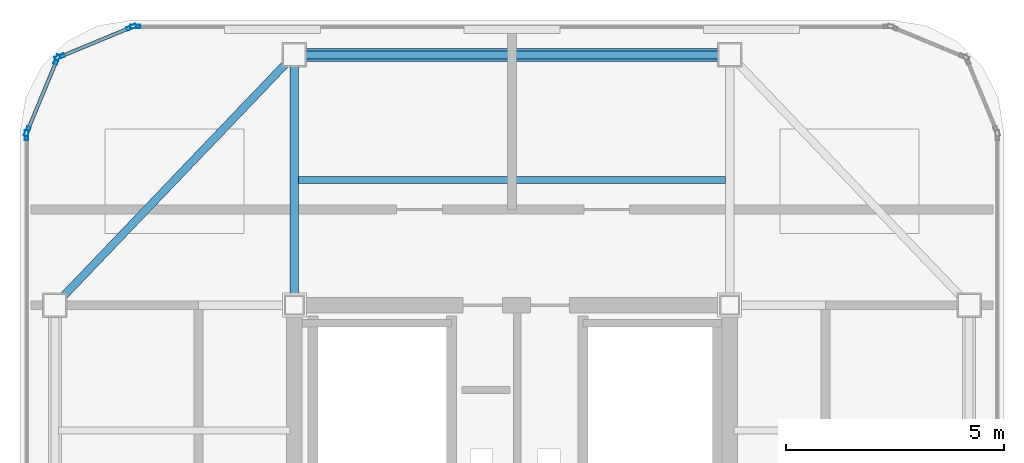
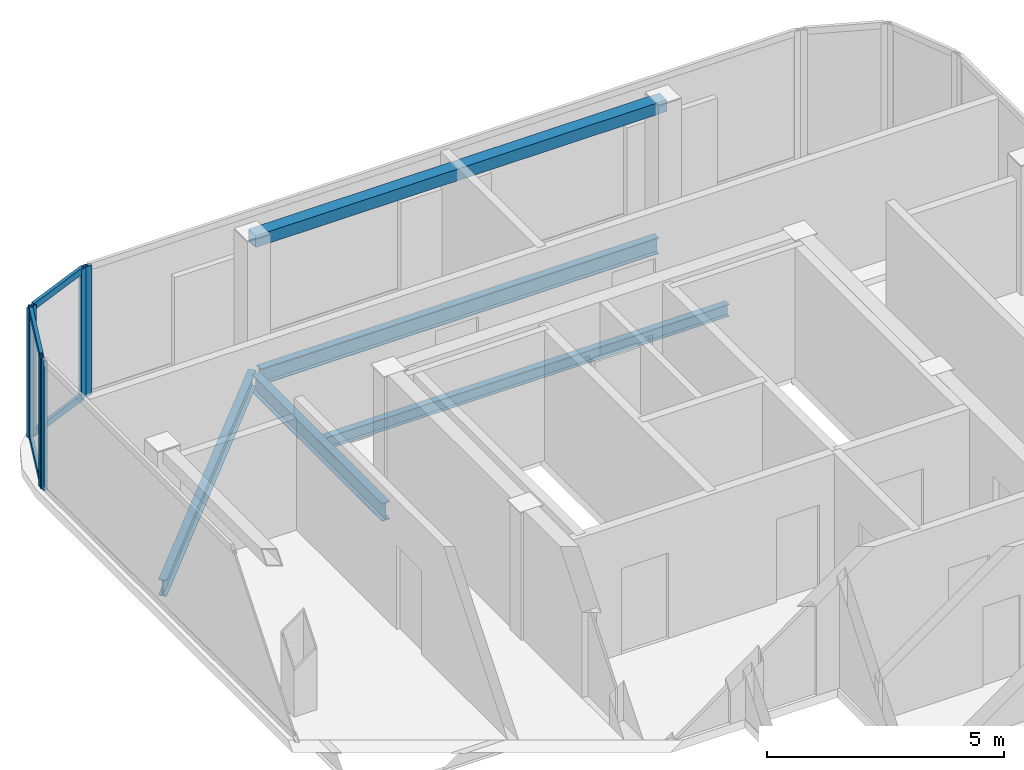
# One storey, part 6 of 11: 11 members, 4 beams, 4 elements without a shape of their own.
"""IFC4 building model written with IfcOpenShell, lengths in metres."""

from ifc_helpers import new_model, si_unit, direction, frame, origin, origin_2d, place, context, subcontext, project, spatial, hollow_rectangle, i_section, extrude, source, transform, mapped, material, layer, layer_set, material_profile, profile_set, type_object, element, aggregate, save


model = new_model("IFC4")

# Units and contexts
model_context = context("Model", 3, precision=1e-05, world=origin(), true_north=direction((0.0, 1.0)))
body_context = subcontext(model_context, "Body", "Model", "MODEL_VIEW")
ifc_project = project(units=[si_unit("LENGTHUNIT", "METRE"), si_unit("AREAUNIT", "SQUARE_METRE"), si_unit("VOLUMEUNIT", "CUBIC_METRE"), si_unit("PLANEANGLEUNIT", "RADIAN"), si_unit("MASSUNIT", "GRAM", prefix="KILO")], contexts=[model_context])

# Site, building, storey
site_placement = place(None, origin())
site = spatial("IfcSite", under=ifc_project, at=site_placement, CompositionType="ELEMENT")
building_placement = place(site_placement, origin())
building = spatial("IfcBuilding", under=site, at=building_placement, Name="Kolveth Station Tower", CompositionType="ELEMENT")
storey_placement = place(building_placement, frame((0.0, 0.0, 292.89990234375)))
storey = spatial("IfcBuildingStorey", under=building, at=storey_placement, Name="L84", CompositionType="ELEMENT", Elevation=292.89990234375)

# Beams
ifc_material_1 = material(Name="Steel S355", Category="steel")
ifc_material_profile_1 = material_profile(ifc_material_1, i_section(OverallWidth=0.180908203125, OverallDepth=0.4169921875, WebThickness=0.010986328125, FlangeThickness=0.018310546875, at=origin_2d()), Name="W410x85")
ifc_profile_set_1 = profile_set([ifc_material_profile_1], Name="Steel S355")
beam_type_1 = type_object("IfcBeamType", Name="Beam_B8", PredefinedType="BEAM", material=ifc_profile_set_1)
shared_shape_1 = source(origin(), body_context, "Body", "SweptSolid", [
    extrude(i_section(OverallWidth=0.180908203125, OverallDepth=0.4169921875, WebThickness=0.010986328125, FlangeThickness=0.018310546875, at=origin_2d()), origin(), (0.0, 0.0, 1.0), 9.68017578125),
])
beam_1_placement = place(storey_placement, frame((18.659912109375, 34.5, -0.428466796875), z_axis=(1.0, 0.0, 0.0), x_axis=(0.0, 1.0, 0.0)))
element("IfcBeam", 1, at=beam_1_placement, inside=storey, type_object=beam_type_1, Name="L84 Perimeter Spandrel BM-L84-PN-1", PredefinedType="BEAM", context=body_context, shape_type="MappedRepresentation", body=[
    mapped(shared_shape_1, transform((0.0, 0.0, 0.0), x_axis=(1.0, 0.0, 0.0), y_axis=(0.0, 1.0, 0.0), z_axis=(0.0, 0.0, 1.0), scale=1.0)),
])
ifc_material_profile_2 = material_profile(ifc_material_1, i_section(OverallWidth=0.19091796875, OverallDepth=0.4599609375, WebThickness=0.010009765625, FlangeThickness=0.01611328125, at=origin_2d()), Name="W460x82")
ifc_profile_set_2 = profile_set([ifc_material_profile_2], Name="Steel S355")
beam_type_2 = type_object("IfcBeamType", Name="Beam_B7", PredefinedType="BEAM", material=ifc_profile_set_2)
shared_shape_2 = source(origin(), body_context, "Body", "SweptSolid", [
    extrude(i_section(OverallWidth=0.19091796875, OverallDepth=0.4599609375, WebThickness=0.010009765625, FlangeThickness=0.01611328125, at=origin_2d()), origin(), (0.0, 0.0, 1.0), 5.47998046875),
])
beam_2_placement = place(storey_placement, frame((18.5, 28.860107421875, -0.449951171875), z_axis=(0.0, 1.0, 0.0), x_axis=(-1.0, 0.0, 0.0)))
element("IfcBeam", 2, at=beam_2_placement, inside=storey, type_object=beam_type_2, Name="L84 Primary Girder BM-L84-GX185-5", PredefinedType="BEAM", context=body_context, shape_type="MappedRepresentation", body=[
    mapped(shared_shape_2, transform((0.0, 0.0, 0.0), x_axis=(1.0, 0.0, 0.0), y_axis=(0.0, 1.0, 0.0), z_axis=(0.0, 0.0, 1.0), scale=1.0)),
])
ifc_material_profile_3 = material_profile(ifc_material_1, i_section(OverallWidth=0.1650390625, OverallDepth=0.31005859375, WebThickness=0.005859375, FlangeThickness=0.009765625, at=origin_2d()), Name="W310x39")
ifc_profile_set_3 = profile_set([ifc_material_profile_3], Name="Steel S355")
beam_type_3 = type_object("IfcBeamType", Name="Beam_J3", PredefinedType="JOIST", material=ifc_profile_set_3)
shared_shape_3 = source(origin(), body_context, "Body", "SweptSolid", [
    extrude(i_section(OverallWidth=0.1650390625, OverallDepth=0.31005859375, WebThickness=0.005859375, FlangeThickness=0.009765625, at=origin_2d()), origin(), (0.0, 0.0, 1.0), 9.81298828125),
])
beam_3_placement = place(storey_placement, frame((18.593505859375, 31.625, -0.375), z_axis=(1.0, 0.0, 0.0), x_axis=(0.0, 1.0, 0.0)))
element("IfcBeam", 3, at=beam_3_placement, inside=storey, type_object=beam_type_3, Name="L84 Secondary Joist JST-L84-2-5", PredefinedType="JOIST", context=body_context, shape_type="MappedRepresentation", body=[
    mapped(shared_shape_3, transform((0.0, 0.0, 0.0), x_axis=(1.0, 0.0, 0.0), y_axis=(0.0, 1.0, 0.0), z_axis=(0.0, 0.0, 1.0), scale=1.0)),
])
shared_shape_4 = source(origin(), body_context, "Body", "SweptSolid", [
    extrude(i_section(OverallWidth=0.180908203125, OverallDepth=0.4169921875, WebThickness=0.010986328125, FlangeThickness=0.018310546875, at=origin_2d()), origin(), (0.0, 0.0, 1.0), 7.95703125),
])
beam_4_placement = place(storey_placement, frame((18.5, 34.5, -0.428466796875), z_axis=(-0.691222645967, -0.722641857148, 0.0), x_axis=(0.722641857148, -0.691222645967, 0.0)))
element("IfcBeam", 4, at=beam_4_placement, inside=storey, type_object=beam_type_1, Name="L84 Corner Edge Girder BM-L84-CNR-NW", PredefinedType="BEAM", context=body_context, shape_type="MappedRepresentation", body=[
    mapped(shared_shape_4, transform((0.0, 0.0, 0.0), x_axis=(1.0, 0.0, 0.0), y_axis=(0.0, 1.0, 0.0), z_axis=(0.0, 0.0, 1.0), scale=1.0)),
])

# Member
ifc_material_profile_4 = material_profile(ifc_material_1, hollow_rectangle(XDim=0.300048828125, YDim=0.300048828125, WallThickness=0.01611328125, at=origin_2d()), Name="CROWN-HSS300x300x16")
ifc_profile_set_4 = profile_set([ifc_material_profile_4], Name="Steel S355")
member_type_1 = type_object("IfcMemberType", Name="Mem_CF1", PredefinedType="CHORD", material=ifc_profile_set_4)
shared_shape_5 = source(origin(), body_context, "Body", "SweptSolid", [
    extrude(hollow_rectangle(XDim=0.300048828125, YDim=0.300048828125, WallThickness=0.01611328125, at=origin_2d()), origin(), (0.0, 0.0, 1.0), 10.0),
])
member_1_placement = place(storey_placement, frame((18.5, 34.5, 3.150146484375), z_axis=(1.0, 0.0, 0.0), x_axis=(0.0, 1.0, 0.0)))
element("IfcMember", 5, at=member_1_placement, inside=storey, type_object=member_type_1, Name="L84 Crown Frame Ring Chord 2", PredefinedType="CHORD", context=body_context, shape_type="MappedRepresentation", body=[
    mapped(shared_shape_5, transform((0.0, 0.0, 0.0), x_axis=(1.0, 0.0, 0.0), y_axis=(0.0, 1.0, 0.0), z_axis=(0.0, 0.0, 1.0), scale=1.0)),
])

# Curtain wall, members
ifc_material_2 = material(Name="Black anodized aluminium 6063-T6 and dark crown glass", Category="aluminium")
ifc_layer = layer(ifc_material_2, 0.169921875)
ifc_layer_set = layer_set([ifc_layer], Name="Black anodized aluminium 6063-T6 and dark crown glass")
curtain_wall_type = type_object("IfcCurtainWallType", Name="CurtainWall_CW-CR", PredefinedType="NOTDEFINED", material=ifc_layer_set)
curtain_wall_1_placement = place(storey_placement, origin())
curtain_wall_1 = element("IfcCurtainWall", 6, at=curtain_wall_1_placement, inside=storey, type_object=curtain_wall_type, Name="L84 Stepped Crown Curtain Wall 7", PredefinedType="NOTDEFINED")
ifc_material_3 = material(Name="Black anodized aluminium 6063-T6", Category="aluminium")
ifc_material_profile_5 = material_profile(ifc_material_3, hollow_rectangle(XDim=0.080078125, YDim=0.1650390625, WallThickness=0.0048828125, at=origin_2d()), Name="ALU-80x165x5")
ifc_profile_set_5 = profile_set([ifc_material_profile_5], Name="Black anodized aluminium 6063-T6")
member_type_2 = type_object("IfcMemberType", Name="Transom_TR-CR", PredefinedType="USERDEFINED", material=ifc_profile_set_5)
shared_shape_6 = source(origin(), body_context, "Body", "SweptSolid", [
    extrude(hollow_rectangle(XDim=0.080078125, YDim=0.1650390625, WallThickness=0.0048828125, at=origin_2d()), origin(), (0.0, 0.0, 1.0), 1.705078125),
])
member_2_placement = place(storey_placement, frame((14.721435546875, 35.117431640625, 0.0400390625), z_axis=(-0.923854516996, -0.38274381958, 0.0), x_axis=(0.38274381958, -0.923854516996, 0.0)))
member_2 = element("IfcMember", 7, at=member_2_placement, type_object=member_type_2, Name="CW-CR transom 1.1", ObjectType="TRANSOM", PredefinedType="USERDEFINED", context=body_context, shape_type="MappedRepresentation", body=[
    mapped(shared_shape_6, transform((0.0, 0.0, 0.0), x_axis=(1.0, 0.0, 0.0), y_axis=(0.0, 1.0, 0.0), z_axis=(0.0, 0.0, 1.0), scale=1.0)),
])
member_3_placement = place(storey_placement, frame((14.721435546875, 35.117431640625, 3.300048828125), z_axis=(-0.923854516996, -0.38274381958, 0.0), x_axis=(0.38274381958, -0.923854516996, 0.0)))
member_3 = element("IfcMember", 8, at=member_3_placement, type_object=member_type_2, Name="CW-CR transom 1.2", ObjectType="TRANSOM", PredefinedType="USERDEFINED", context=body_context, shape_type="MappedRepresentation", body=[
    mapped(shared_shape_6, transform((0.0, 0.0, 0.0), x_axis=(1.0, 0.0, 0.0), y_axis=(0.0, 1.0, 0.0), z_axis=(0.0, 0.0, 1.0), scale=1.0)),
])

curtain_wall_2_placement = place(storey_placement, origin())
curtain_wall_2 = element("IfcCurtainWall", 9, at=curtain_wall_2_placement, inside=storey, type_object=curtain_wall_type, Name="L84 Stepped Crown Curtain Wall 8", PredefinedType="NOTDEFINED")
member_4_placement = place(storey_placement, frame((13.03515625, 34.353759765625, 0.0400390625), z_axis=(-0.38274381958, -0.923854516996, 0.0), x_axis=(0.923854516996, -0.38274381958, 0.0)))
member_4 = element("IfcMember", 10, at=member_4_placement, type_object=member_type_2, Name="CW-CR transom 1.1", ObjectType="TRANSOM", PredefinedType="USERDEFINED", context=body_context, shape_type="MappedRepresentation", body=[
    mapped(shared_shape_6, transform((0.0, 0.0, 0.0), x_axis=(1.0, 0.0, 0.0), y_axis=(0.0, 1.0, 0.0), z_axis=(0.0, 0.0, 1.0), scale=1.0)),
])
member_5_placement = place(storey_placement, frame((13.03515625, 34.353759765625, 3.300048828125), z_axis=(-0.38274381958, -0.923854516996, 0.0), x_axis=(0.923854516996, -0.38274381958, 0.0)))
member_5 = element("IfcMember", 11, at=member_5_placement, type_object=member_type_2, Name="CW-CR transom 1.2", ObjectType="TRANSOM", PredefinedType="USERDEFINED", context=body_context, shape_type="MappedRepresentation", body=[
    mapped(shared_shape_6, transform((0.0, 0.0, 0.0), x_axis=(1.0, 0.0, 0.0), y_axis=(0.0, 1.0, 0.0), z_axis=(0.0, 0.0, 1.0), scale=1.0)),
])

# Curtain wall, member
curtain_wall_3_placement = place(storey_placement, origin())
curtain_wall_3 = element("IfcCurtainWall", 12, at=curtain_wall_3_placement, inside=storey, type_object=curtain_wall_type, Name="L84 Stepped Crown Curtain Wall 6", PredefinedType="NOTDEFINED")
ifc_material_profile_6 = material_profile(ifc_material_3, hollow_rectangle(XDim=0.0849609375, YDim=0.22998046875, WallThickness=0.0048828125, at=origin_2d()), Name="ALU-85x230x5")
ifc_profile_set_6 = profile_set([ifc_material_profile_6], Name="Black anodized aluminium 6063-T6")
member_type_3 = type_object("IfcMemberType", Name="Mullion_ML-CR", PredefinedType="MULLION", material=ifc_profile_set_6)
shared_shape_7 = source(origin(), body_context, "Body", "SweptSolid", [
    extrude(hollow_rectangle(XDim=0.0849609375, YDim=0.22998046875, WallThickness=0.0048828125, at=origin_2d()), origin(), (0.0, 0.0, 1.0), 3.340087890625),
])
member_6_placement = place(storey_placement, frame((14.842529296875, 35.14990234375, 0.0), z_axis=(0.0, 0.0, 1.0), x_axis=(0.0, -1.0, 0.0)))
member_6 = element("IfcMember", 13, at=member_6_placement, type_object=member_type_3, Name="CW-CR mullion 2", PredefinedType="MULLION", context=body_context, shape_type="MappedRepresentation", body=[
    mapped(shared_shape_7, transform((0.0, 0.0, 0.0), x_axis=(1.0, 0.0, 0.0), y_axis=(0.0, 1.0, 0.0), z_axis=(0.0, 0.0, 1.0), scale=1.0)),
])
aggregate(curtain_wall_3, [member_6])

# Member
member_7_placement = place(storey_placement, frame((14.7607421875, 35.1337890625, 0.0), z_axis=(0.0, 0.0, 1.0), x_axis=(0.382690908701, -0.923876435676, 0.0)))
member_7 = element("IfcMember", 14, at=member_7_placement, type_object=member_type_3, Name="CW-CR mullion 1", PredefinedType="MULLION", context=body_context, shape_type="MappedRepresentation", body=[
    mapped(shared_shape_7, transform((0.0, 0.0, 0.0), x_axis=(1.0, 0.0, 0.0), y_axis=(0.0, 1.0, 0.0), z_axis=(0.0, 0.0, 1.0), scale=1.0)),
])

member_8_placement = place(storey_placement, frame((13.10693359375, 34.44873046875, 0.0), z_axis=(0.0, 0.0, 1.0), x_axis=(0.382690908701, -0.923876435676, 0.0)))
member_8 = element("IfcMember", 15, at=member_8_placement, type_object=member_type_3, Name="CW-CR mullion 2", PredefinedType="MULLION", context=body_context, shape_type="MappedRepresentation", body=[
    mapped(shared_shape_7, transform((0.0, 0.0, 0.0), x_axis=(1.0, 0.0, 0.0), y_axis=(0.0, 1.0, 0.0), z_axis=(0.0, 0.0, 1.0), scale=1.0)),
])

aggregate(curtain_wall_1, [member_7, member_8, member_2, member_3])

member_9_placement = place(storey_placement, frame((13.05126953125, 34.39306640625, 0.0), z_axis=(0.0, 0.0, 1.0), x_axis=(0.923876435676, -0.382690908701, 0.0)))
member_9 = element("IfcMember", 16, at=member_9_placement, type_object=member_type_3, Name="CW-CR mullion 1", PredefinedType="MULLION", context=body_context, shape_type="MappedRepresentation", body=[
    mapped(shared_shape_7, transform((0.0, 0.0, 0.0), x_axis=(1.0, 0.0, 0.0), y_axis=(0.0, 1.0, 0.0), z_axis=(0.0, 0.0, 1.0), scale=1.0)),
])

member_10_placement = place(storey_placement, frame((12.3662109375, 32.7392578125, 0.0), z_axis=(0.0, 0.0, 1.0), x_axis=(0.923876435676, -0.382690908701, 0.0)))
member_10 = element("IfcMember", 17, at=member_10_placement, type_object=member_type_3, Name="CW-CR mullion 2", PredefinedType="MULLION", context=body_context, shape_type="MappedRepresentation", body=[
    mapped(shared_shape_7, transform((0.0, 0.0, 0.0), x_axis=(1.0, 0.0, 0.0), y_axis=(0.0, 1.0, 0.0), z_axis=(0.0, 0.0, 1.0), scale=1.0)),
])

aggregate(curtain_wall_2, [member_9, member_10, member_4, member_5])

# Curtain wall, member
curtain_wall_4_placement = place(storey_placement, origin())
curtain_wall_4 = element("IfcCurtainWall", 18, at=curtain_wall_4_placement, inside=storey, type_object=curtain_wall_type, Name="L84 Stepped Crown Curtain Wall 9", PredefinedType="NOTDEFINED")
member_11_placement = place(storey_placement, frame((12.35009765625, 32.657470703125, 0.0), z_axis=(0.0, 0.0, 1.0), x_axis=(1.0, 0.0, 0.0)))
member_11 = element("IfcMember", 19, at=member_11_placement, type_object=member_type_3, Name="CW-CR mullion 1", PredefinedType="MULLION", context=body_context, shape_type="MappedRepresentation", body=[
    mapped(shared_shape_7, transform((0.0, 0.0, 0.0), x_axis=(1.0, 0.0, 0.0), y_axis=(0.0, 1.0, 0.0), z_axis=(0.0, 0.0, 1.0), scale=1.0)),
])
aggregate(curtain_wall_4, [member_11])

save(model, "model.ifc")
